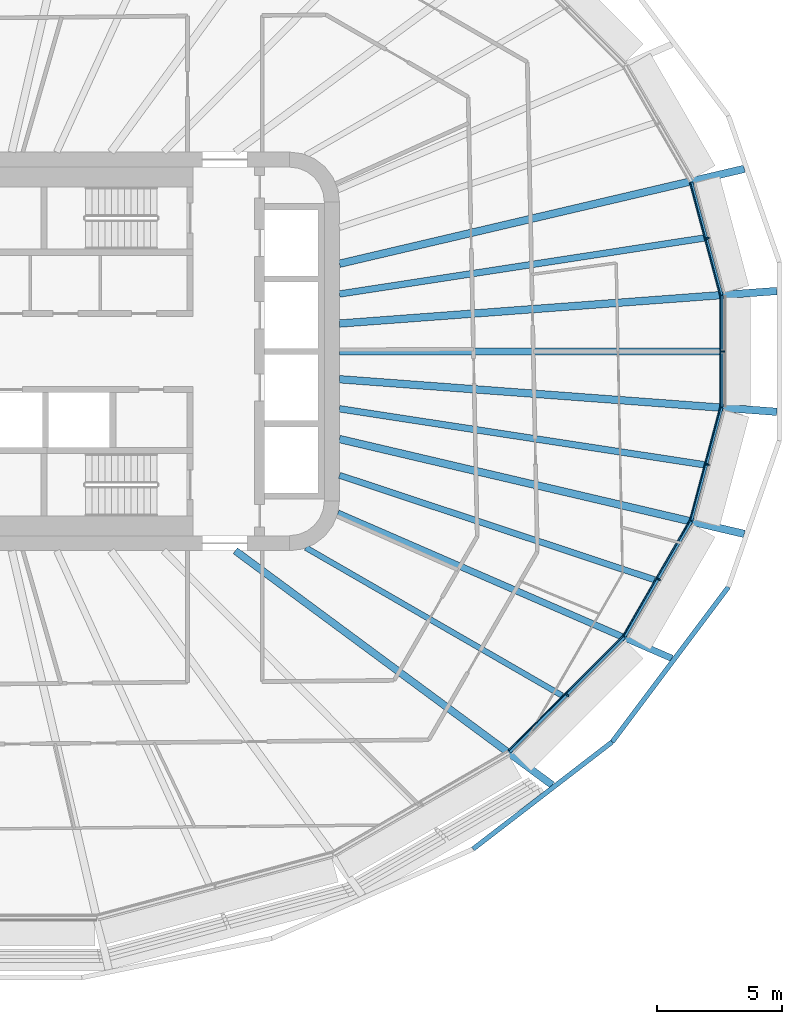
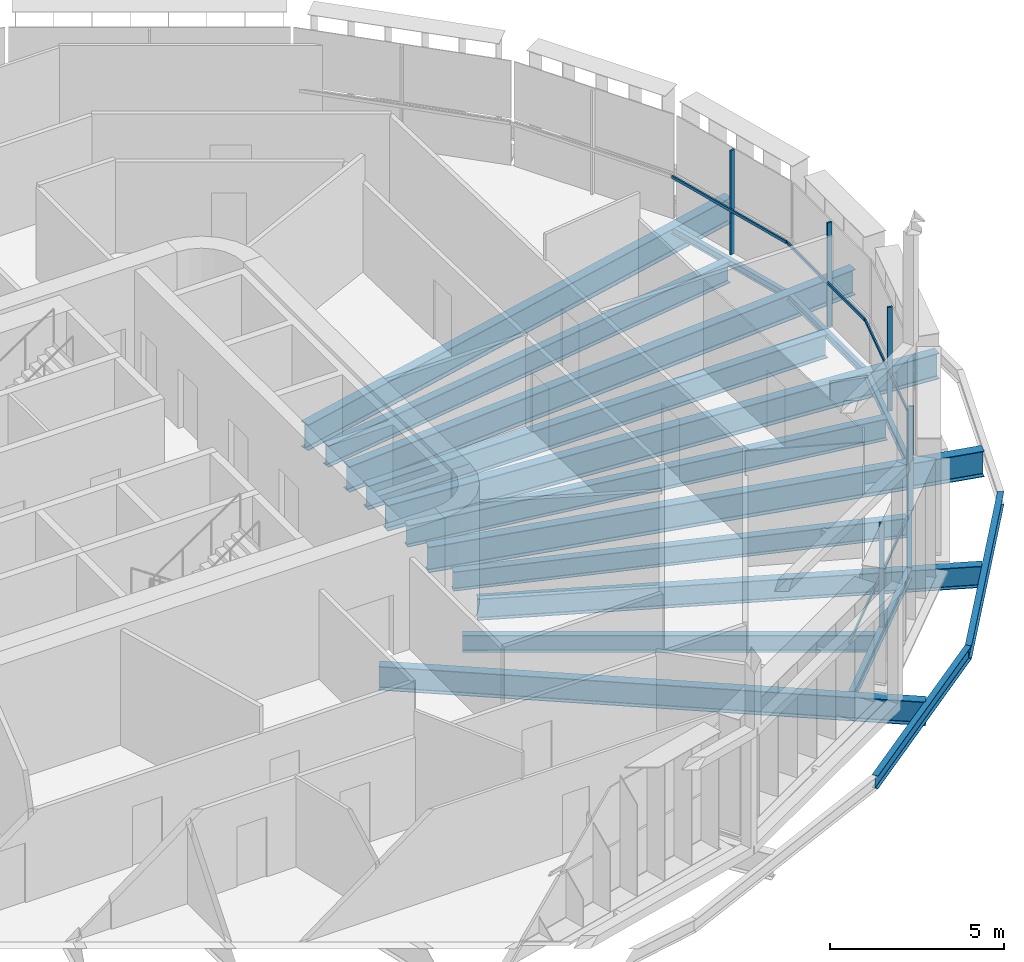
# One storey, part 5 of 23: 18 beams, 10 members, 5 elements without a shape of their own.
"""IFC4 building model written with IfcOpenShell, lengths in metres."""

from ifc_helpers import new_model, si_unit, direction, frame, origin, origin_2d, place, context, subcontext, project, spatial, rectangle, i_section, extrude, material, layer, layer_set, material_profile, profile_set, type_object, element, aggregate, save


model = new_model("IFC4")

# Units and contexts
model_context = context("Model", 3, precision=1e-05, world=origin(), true_north=direction((0.0, 1.0)))
body_context = subcontext(model_context, "Body", "Model", "MODEL_VIEW")
ifc_project = project(units=[si_unit("LENGTHUNIT", "METRE"), si_unit("AREAUNIT", "SQUARE_METRE"), si_unit("VOLUMEUNIT", "CUBIC_METRE"), si_unit("PLANEANGLEUNIT", "RADIAN"), si_unit("MASSUNIT", "GRAM", prefix="KILO")], contexts=[model_context])

# Site, building, storey
site_placement = place(None, origin())
site = spatial("IfcSite", under=ifc_project, at=site_placement, CompositionType="ELEMENT")
building_placement = place(site_placement, origin())
building = spatial("IfcBuilding", under=site, at=building_placement, Name="Sahrelin Media Tower", CompositionType="ELEMENT")
storey_placement = place(building_placement, frame((0.0, 0.0, 54.60009765625)))
storey = spatial("IfcBuildingStorey", under=building, at=storey_placement, Name="L08", CompositionType="ELEMENT", Elevation=54.60009765625)

# Beams
ifc_material_1 = material(Name="Steel S355", Category="steel")
ifc_material_profile_1 = material_profile(ifc_material_1, i_section(OverallWidth=0.14599609375, OverallDepth=0.25146484375, WebThickness=0.006103515625, FlangeThickness=0.008544921875, FilletRadius=0.007568359375, at=origin_2d()), Name="UB 254x146x31")
ifc_profile_set_1 = profile_set([ifc_material_profile_1], Name="Steel S355")
beam_type_1 = type_object("IfcBeamType", Name="Edge beam EB1", PredefinedType="BEAM", material=ifc_profile_set_1)
beam_1_placement = place(storey_placement, frame((30.323974609375, 2.2353515625, -0.27587890625), z_axis=(0.0, -1.0, 0.0), x_axis=(1.0, 0.0, 0.0)))
element("IfcBeam", 1, at=beam_1_placement, inside=storey, type_object=beam_type_1, Name="Edge beam L08-01", PredefinedType="BEAM", context=body_context, shape_type="SweptSolid", body=[
    extrude(i_section(OverallWidth=0.14599609375, OverallDepth=0.25146484375, WebThickness=0.006103515625, FlangeThickness=0.008544921875, FilletRadius=0.007568359375, at=origin_2d()), origin(), (0.0, 0.0, 1.0), 4.470703125),
])
for number, where, z_axis, x_axis, name in (
    (2, (30.3203125, -2.263916015625, -0.27587890625), (-0.258828228202, -0.965923365638, 0.0), (0.965923365638, -0.258828228202, 0.0), "Edge beam L08-02"),
    (3, (29.109130859375, 6.783935546875, -0.27587890625), (0.258828228202, -0.965923365638, 0.0), (0.965923365638, 0.258828228202, 0.0), "Edge beam L08-24"),
):
    element("IfcBeam", number, at=place(storey_placement, frame(where, z_axis=z_axis, x_axis=x_axis)), inside=storey, type_object=beam_type_1, Name=name, PredefinedType="BEAM", context=body_context, shape_type="SweptSolid", body=[
        extrude(i_section(OverallWidth=0.14599609375, OverallDepth=0.25146484375, WebThickness=0.006103515625, FlangeThickness=0.008544921875, FilletRadius=0.007568359375, at=origin_2d()), origin(), (0.0, 0.0, 1.0), 4.679443359375),
    ])
ifc_material_profile_2 = material_profile(ifc_material_1, i_section(OverallWidth=0.1650390625, OverallDepth=0.303466796875, WebThickness=0.006103515625, FlangeThickness=0.01025390625, FilletRadius=0.0087890625, at=origin_2d()), Name="UB 305x165x40")
ifc_profile_set_2 = profile_set([ifc_material_profile_2], Name="Steel S355")
beam_type_2 = type_object("IfcBeamType", Name="Edge beam EB2", PredefinedType="BEAM", material=ifc_profile_set_2)
beam_2_placement = place(storey_placement, frame((29.09814453125, -6.810546875, -0.3017578125), z_axis=(-0.500020745744, -0.866013425892, 0.0), x_axis=(0.866013425892, -0.500020745744, 0.0)))
element("IfcBeam", 4, at=beam_2_placement, inside=storey, type_object=beam_type_2, Name="Edge beam L08-03", PredefinedType="BEAM", context=body_context, shape_type="SweptSolid", body=[
    extrude(i_section(OverallWidth=0.1650390625, OverallDepth=0.303466796875, WebThickness=0.006103515625, FlangeThickness=0.01025390625, FilletRadius=0.0087890625, at=origin_2d()), origin(), (0.0, 0.0, 1.0), 5.337158203125),
])
ifc_material_profile_3 = material_profile(ifc_material_1, i_section(OverallWidth=0.17138671875, OverallDepth=0.35498046875, WebThickness=0.00732421875, FlangeThickness=0.011474609375, FilletRadius=0.01025390625, at=origin_2d()), Name="UB 356x171x51")
ifc_profile_set_3 = profile_set([ifc_material_profile_3], Name="Steel S355")
beam_type_3 = type_object("IfcBeamType", Name="Edge beam EB3", PredefinedType="BEAM", material=ifc_profile_set_3)
beam_3_placement = place(storey_placement, frame((26.412109375, -11.45556640625, -0.32763671875), z_axis=(-0.707106781187, -0.707106781187, 0.0), x_axis=(0.707106781187, -0.707106781187, 0.0)))
element("IfcBeam", 5, at=beam_3_placement, inside=storey, type_object=beam_type_3, Name="Edge beam L08-04", PredefinedType="BEAM", context=body_context, shape_type="SweptSolid", body=[
    extrude(i_section(OverallWidth=0.17138671875, OverallDepth=0.35498046875, WebThickness=0.00732421875, FlangeThickness=0.011474609375, FilletRadius=0.01025390625, at=origin_2d()), origin(), (0.0, 0.0, 1.0), 6.505126953125),
])

# Curtain wall, member
ifc_material_2 = material(Name="Champagne anodised aluminium 6063-T6", Category="aluminium")
ifc_layer = layer(ifc_material_2, 0.14990234375)
ifc_layer_set = layer_set([ifc_layer], Name="Tower ribbon curtain wall")
curtain_wall_type = type_object("IfcCurtainWallType", Name="Tower ribbon curtain wall", PredefinedType="NOTDEFINED", material=ifc_layer_set)
curtain_wall_1_placement = place(storey_placement, frame((30.47412109375, 0.0, 0.0), z_axis=(0.0, 0.0, 1.0), x_axis=(1.0, 0.0, 0.0)))
curtain_wall_1 = element("IfcCurtainWall", 6, at=curtain_wall_1_placement, inside=storey, type_object=curtain_wall_type, Name="L08:CW:L08-00", PredefinedType="NOTDEFINED")
ifc_material_profile_4 = material_profile(ifc_material_2, rectangle(XDim=0.06005859375, YDim=0.14990234375, at=origin_2d()), Name="Mullion 60x150")
ifc_profile_set_4 = profile_set([ifc_material_profile_4], Name="Champagne anodised aluminium 6063-T6")
member_type_1 = type_object("IfcMemberType", Name="Mullion 60x150 CW1", PredefinedType="MULLION", material=ifc_profile_set_4)
member_1_placement = place(storey_placement, frame((30.37890625, 0.0, 0.0), z_axis=(0.0, 0.0, 1.0), x_axis=(0.0, 1.0, 0.0)))
member_1 = element("IfcMember", 7, at=member_1_placement, type_object=member_type_1, Name="L08:CWM:L08-00", PredefinedType="MULLION", context=body_context, shape_type="SweptSolid", body=[
    extrude(rectangle(XDim=0.06005859375, YDim=0.14990234375, at=origin_2d()), origin(), (0.0, 0.0, 1.0), 3.6484375),
])

curtain_wall_2_placement = place(storey_placement, frame((29.859619140625, 4.562744140625, 0.0), z_axis=(0.0, 0.0, 1.0), x_axis=(1.0, 0.0, 0.0)))
curtain_wall_2 = element("IfcCurtainWall", 8, at=curtain_wall_2_placement, inside=storey, type_object=curtain_wall_type, Name="L08:CW:L08-01", PredefinedType="NOTDEFINED")
member_2_placement = place(storey_placement, frame((29.767822265625, 4.5380859375, 0.0), z_axis=(0.0, 0.0, 1.0), x_axis=(-0.258825788531, 0.965924019368, 0.0)))
member_2 = element("IfcMember", 9, at=member_2_placement, type_object=member_type_1, Name="L08:CWM:L08-01", PredefinedType="MULLION", context=body_context, shape_type="SweptSolid", body=[
    extrude(rectangle(XDim=0.06005859375, YDim=0.14990234375, at=origin_2d()), origin(), (0.0, 0.0, 1.0), 3.6484375),
])

curtain_wall_3_placement = place(storey_placement, frame((24.21826171875, -13.861572265625, 0.0), z_axis=(0.0, 0.0, 1.0), x_axis=(1.0, 0.0, 0.0)))
curtain_wall_3 = element("IfcCurtainWall", 10, at=curtain_wall_3_placement, inside=storey, type_object=curtain_wall_type, Name="L08:CW:L08-21", PredefinedType="NOTDEFINED")
member_3_placement = place(storey_placement, frame((24.15087890625, -13.794189453125, 0.0), z_axis=(0.0, 0.0, 1.0), x_axis=(0.707106781187, 0.707106781187, 0.0)))
member_3 = element("IfcMember", 11, at=member_3_placement, type_object=member_type_1, Name="L08:CWM:L08-21", PredefinedType="MULLION", context=body_context, shape_type="SweptSolid", body=[
    extrude(rectangle(XDim=0.06005859375, YDim=0.14990234375, at=origin_2d()), origin(), (0.0, 0.0, 1.0), 3.6484375),
])

curtain_wall_4_placement = place(storey_placement, frame((27.893798828125, -9.196533203125, 0.0), z_axis=(0.0, 0.0, 1.0), x_axis=(1.0, 0.0, 0.0)))
curtain_wall_4 = element("IfcCurtainWall", 12, at=curtain_wall_4_placement, inside=storey, type_object=curtain_wall_type, Name="L08:CW:L08-22", PredefinedType="NOTDEFINED")
member_4_placement = place(storey_placement, frame((27.811279296875, -9.149169921875, 0.0), z_axis=(0.0, 0.0, 1.0), x_axis=(0.499990930976, 0.866030639725, 0.0)))
member_4 = element("IfcMember", 13, at=member_4_placement, type_object=member_type_1, Name="L08:CWM:L08-22", PredefinedType="MULLION", context=body_context, shape_type="SweptSolid", body=[
    extrude(rectangle(XDim=0.06005859375, YDim=0.14990234375, at=origin_2d()), origin(), (0.0, 0.0, 1.0), 3.6484375),
])

curtain_wall_5_placement = place(storey_placement, frame((29.859619140625, -4.562744140625, 0.0), z_axis=(0.0, 0.0, 1.0), x_axis=(1.0, 0.0, 0.0)))
curtain_wall_5 = element("IfcCurtainWall", 14, at=curtain_wall_5_placement, inside=storey, type_object=curtain_wall_type, Name="L08:CW:L08-23", PredefinedType="NOTDEFINED")
member_5_placement = place(storey_placement, frame((29.767822265625, -4.5380859375, 0.0), z_axis=(0.0, 0.0, 1.0), x_axis=(0.258825788531, 0.965924019368, 0.0)))
member_5 = element("IfcMember", 15, at=member_5_placement, type_object=member_type_1, Name="L08:CWM:L08-23", PredefinedType="MULLION", context=body_context, shape_type="SweptSolid", body=[
    extrude(rectangle(XDim=0.06005859375, YDim=0.14990234375, at=origin_2d()), origin(), (0.0, 0.0, 1.0), 3.6484375),
])

# Beams
ifc_material_profile_5 = material_profile(ifc_material_1, i_section(OverallWidth=0.291748046875, OverallDepth=0.8349609375, WebThickness=0.013916015625, FlangeThickness=0.018798828125, FilletRadius=0.017822265625, at=origin_2d()), Name="UB 838x292x176")
ifc_profile_set_5 = profile_set([ifc_material_profile_5], Name="Steel S355")
beam_type_4 = type_object("IfcBeamType", Name="Radial primary beam PB10", PredefinedType="BEAM", material=ifc_profile_set_5)
beam_4_placement = place(storey_placement, frame((10.821533203125, -8.0, -0.5673828125), z_axis=(0.804124174179, -0.594461363337, 0.0), x_axis=(0.594461363337, 0.804124174179, 0.0)))
element("IfcBeam", 16, at=beam_4_placement, inside=storey, type_object=beam_type_4, Name="Radial beam L08-21", PredefinedType="BEAM", context=body_context, shape_type="SweptSolid", body=[
    extrude(i_section(OverallWidth=0.291748046875, OverallDepth=0.8349609375, WebThickness=0.013916015625, FlangeThickness=0.018798828125, FilletRadius=0.017822265625, at=origin_2d()), origin(), (0.0, 0.0, 1.0), 15.81787109375),
])
ifc_material_profile_6 = material_profile(ifc_material_1, i_section(OverallWidth=0.30322265625, OverallDepth=0.903076171875, WebThickness=0.01513671875, FlangeThickness=0.020263671875, FilletRadius=0.01904296875, at=origin_2d()), Name="UB 914x305x201")
ifc_profile_set_6 = profile_set([ifc_material_profile_6], Name="Steel S355")
beam_type_5 = type_object("IfcBeamType", Name="Radial primary beam PB11", PredefinedType="BEAM", material=ifc_profile_set_6)
beam_5_placement = place(storey_placement, frame((15.0, 1.1171875, -0.6015625), z_axis=(0.997238272373, 0.074268621336, 0.0), x_axis=(-0.074268621336, 0.997238272373, 0.0)))
element("IfcBeam", 17, at=beam_5_placement, inside=storey, type_object=beam_type_5, Name="Radial beam L08-01", PredefinedType="BEAM", context=body_context, shape_type="SweptSolid", body=[
    extrude(i_section(OverallWidth=0.30322265625, OverallDepth=0.903076171875, WebThickness=0.01513671875, FlangeThickness=0.020263671875, FilletRadius=0.01904296875, at=origin_2d()), origin(), (0.0, 0.0, 1.0), 17.603271484375),
])
for number, where, z_axis, x_axis, name in (
    (18, (15.0, 3.516357421875, -0.6015625), (0.973604476723, 0.22824180797, 0.0), (-0.22824180797, 0.973604476723, 0.0), "Radial beam L08-02"),
    (19, (15.0, -3.516357421875, -0.6015625), (0.973604476723, -0.22824180797, 0.0), (0.22824180797, 0.973604476723, 0.0), "Radial beam L08-23"),
):
    element("IfcBeam", number, at=place(storey_placement, frame(where, z_axis=z_axis, x_axis=x_axis)), inside=storey, type_object=beam_type_5, Name=name, PredefinedType="BEAM", context=body_context, shape_type="SweptSolid", body=[
        extrude(i_section(OverallWidth=0.30322265625, OverallDepth=0.903076171875, WebThickness=0.01513671875, FlangeThickness=0.020263671875, FilletRadius=0.01904296875, at=origin_2d()), origin(), (0.0, 0.0, 1.0), 16.688720703125),
    ])
beam_6_placement = place(storey_placement, frame((15.0, -1.1171875, -0.6015625), z_axis=(0.997238272373, -0.074268621336, 0.0), x_axis=(0.074268621336, 0.997238272373, 0.0)))
element("IfcBeam", 20, at=beam_6_placement, inside=storey, type_object=beam_type_5, Name="Radial beam L08-24", PredefinedType="BEAM", context=body_context, shape_type="SweptSolid", body=[
    extrude(i_section(OverallWidth=0.30322265625, OverallDepth=0.903076171875, WebThickness=0.01513671875, FlangeThickness=0.020263671875, FilletRadius=0.01904296875, at=origin_2d()), origin(), (0.0, 0.0, 1.0), 17.603271484375),
])
ifc_material_profile_7 = material_profile(ifc_material_1, i_section(OverallWidth=0.26513671875, OverallDepth=0.75390625, WebThickness=0.0126953125, FlangeThickness=0.017578125, FilletRadius=0.0166015625, at=origin_2d()), Name="UB 762x267x147")
ifc_profile_set_7 = profile_set([ifc_material_profile_7], Name="Steel S355")
beam_type_6 = type_object("IfcBeamType", Name="Radial primary beam PB9", PredefinedType="BEAM", material=ifc_profile_set_7)
beam_7_placement = place(storey_placement, frame((14.935302734375, -6.491943359375, -0.527099609375), z_axis=(0.917108819055, -0.398636945115, 0.0), x_axis=(0.398636945115, 0.917108819055, 0.0)))
element("IfcBeam", 21, at=beam_7_placement, inside=storey, type_object=beam_type_6, Name="Radial beam L08-22", PredefinedType="BEAM", context=body_context, shape_type="SweptSolid", body=[
    extrude(i_section(OverallWidth=0.26513671875, OverallDepth=0.75390625, WebThickness=0.0126953125, FlangeThickness=0.017578125, FilletRadius=0.0166015625, at=origin_2d()), origin(), (0.0, 0.0, 1.0), 14.61767578125),
])
ifc_material_profile_8 = material_profile(ifc_material_1, i_section(OverallWidth=0.291748046875, OverallDepth=0.8349609375, WebThickness=0.013916015625, FlangeThickness=0.018798828125, FilletRadius=0.017822265625, at=origin_2d()), Name="UB 838x292x176")
ifc_profile_set_8 = profile_set([ifc_material_profile_8], Name="Steel S355")
beam_type_7 = type_object("IfcBeamType", Name="Radial secondary beam SB10", PredefinedType="BEAM", material=ifc_profile_set_8)
beam_8_placement = place(storey_placement, frame((15.0, 0.0, -0.5673828125), z_axis=(1.0, 0.0, 0.0), x_axis=(0.0, 1.0, 0.0)))
element("IfcBeam", 22, at=beam_8_placement, inside=storey, type_object=beam_type_7, Name="Secondary beam L08-24", PredefinedType="BEAM", context=body_context, shape_type="SweptSolid", body=[
    extrude(i_section(OverallWidth=0.291748046875, OverallDepth=0.8349609375, WebThickness=0.013916015625, FlangeThickness=0.018798828125, FilletRadius=0.017822265625, at=origin_2d()), origin(), (0.0, 0.0, 1.0), 15.2509765625),
])
ifc_material_profile_9 = material_profile(ifc_material_1, i_section(OverallWidth=0.2275390625, OverallDepth=0.6025390625, WebThickness=0.010498046875, FlangeThickness=0.014892578125, FilletRadius=0.0126953125, at=origin_2d()), Name="UB 610x229x101")
ifc_profile_set_9 = profile_set([ifc_material_profile_9], Name="Steel S355")
beam_type_8 = type_object("IfcBeamType", Name="Radial secondary beam SB7", PredefinedType="BEAM", material=ifc_profile_set_9)
beam_9_placement = place(storey_placement, frame((13.6513671875, -7.87646484375, -0.451416015625), z_axis=(0.866166758016, -0.499755087325, 0.0), x_axis=(0.499755087325, 0.866166758016, 0.0)))
element("IfcBeam", 23, at=beam_9_placement, inside=storey, type_object=beam_type_8, Name="Secondary beam L08-21", PredefinedType="BEAM", context=body_context, shape_type="SweptSolid", body=[
    extrude(i_section(OverallWidth=0.2275390625, OverallDepth=0.6025390625, WebThickness=0.010498046875, FlangeThickness=0.014892578125, FilletRadius=0.0126953125, at=origin_2d()), origin(), (0.0, 0.0, 1.0), 11.87353515625),
])
ifc_material_profile_10 = material_profile(ifc_material_1, i_section(OverallWidth=0.2529296875, OverallDepth=0.677978515625, WebThickness=0.01171875, FlangeThickness=0.01611328125, FilletRadius=0.01513671875, at=origin_2d()), Name="UB 686x254x125")
ifc_profile_set_10 = profile_set([ifc_material_profile_10], Name="Steel S355")
beam_type_9 = type_object("IfcBeamType", Name="Radial secondary beam SB8", PredefinedType="BEAM", material=ifc_profile_set_10)
beam_10_placement = place(storey_placement, frame((15.0, -4.973388671875, -0.489013671875), z_axis=(0.949189781098, -0.314704241247, 0.0), x_axis=(0.314704241247, 0.949189781098, 0.0)))
element("IfcBeam", 24, at=beam_10_placement, inside=storey, type_object=beam_type_9, Name="Secondary beam L08-22", PredefinedType="BEAM", context=body_context, shape_type="SweptSolid", body=[
    extrude(i_section(OverallWidth=0.2529296875, OverallDepth=0.677978515625, WebThickness=0.01171875, FlangeThickness=0.01611328125, FilletRadius=0.01513671875, at=origin_2d()), origin(), (0.0, 0.0, 1.0), 13.320068359375),
])
ifc_material_profile_11 = material_profile(ifc_material_1, i_section(OverallWidth=0.26513671875, OverallDepth=0.75390625, WebThickness=0.0126953125, FlangeThickness=0.017578125, FilletRadius=0.0166015625, at=origin_2d()), Name="UB 762x267x147")
ifc_profile_set_11 = profile_set([ifc_material_profile_11], Name="Steel S355")
beam_type_10 = type_object("IfcBeamType", Name="Radial secondary beam SB9", PredefinedType="BEAM", material=ifc_profile_set_11)
for number, where, z_axis, x_axis, name in (
    (25, (15.0, 2.302490234375, -0.527099609375), (0.98842559069, 0.151706465484, 0.0), (-0.151706465484, 0.98842559069, 0.0), "Secondary beam L08-01"),
    (26, (15.0, -2.302490234375, -0.527099609375), (0.98842559069, -0.151706465484, 0.0), (0.151706465484, 0.98842559069, 0.0), "Secondary beam L08-23"),
):
    element("IfcBeam", number, at=place(storey_placement, frame(where, z_axis=z_axis, x_axis=x_axis)), inside=storey, type_object=beam_type_10, Name=name, PredefinedType="BEAM", context=body_context, shape_type="SweptSolid", body=[
        extrude(i_section(OverallWidth=0.26513671875, OverallDepth=0.75390625, WebThickness=0.0126953125, FlangeThickness=0.017578125, FilletRadius=0.0166015625, at=origin_2d()), origin(), (0.0, 0.0, 1.0), 14.803955078125),
    ])
ifc_material_profile_12 = material_profile(ifc_material_1, i_section(OverallWidth=0.1904296875, OverallDepth=0.45703125, WebThickness=0.009033203125, FlangeThickness=0.014404296875, FilletRadius=0.01025390625, at=origin_2d()), Name="UB 457x191x74")
ifc_profile_set_12 = profile_set([ifc_material_profile_12], Name="Steel S355")
beam_type_11 = type_object("IfcBeamType", Name="Tie chord TC5", PredefinedType="BEAM", material=ifc_profile_set_12)
beam_11_placement = place(storey_placement, frame((20.36328125, -19.968994140625, -0.378662109375), z_axis=(0.792453844902, 0.609931884475, 0.0), x_axis=(-0.609931884475, 0.792453844902, 0.0)))
element("IfcBeam", 27, at=beam_11_placement, inside=storey, type_object=beam_type_11, Name="Tie chord L08-21", PredefinedType="BEAM", context=body_context, shape_type="SweptSolid", body=[
    extrude(i_section(OverallWidth=0.1904296875, OverallDepth=0.45703125, WebThickness=0.009033203125, FlangeThickness=0.014404296875, FilletRadius=0.01025390625, at=origin_2d()), origin(), (0.0, 0.0, 1.0), 7.04248046875),
])
beam_12_placement = place(storey_placement, frame((25.944091796875, -15.673583984375, -0.378662109375), z_axis=(0.600040211361, 0.7999698399, 0.0), x_axis=(-0.7999698399, 0.600040211361, 0.0)))
element("IfcBeam", 28, at=beam_12_placement, inside=storey, type_object=beam_type_11, Name="Tie chord L08-22", PredefinedType="BEAM", context=body_context, shape_type="SweptSolid", body=[
    extrude(i_section(OverallWidth=0.1904296875, OverallDepth=0.45703125, WebThickness=0.009033203125, FlangeThickness=0.014404296875, FilletRadius=0.01025390625, at=origin_2d()), origin(), (0.0, 0.0, 1.0), 7.771240234375),
])

# Member
ifc_material_profile_13 = material_profile(ifc_material_2, rectangle(XDim=0.050048828125, YDim=0.10009765625, at=origin_2d()), Name="Transom 50x100")
ifc_profile_set_13 = profile_set([ifc_material_profile_13], Name="Champagne anodised aluminium 6063-T6")
member_type_2 = type_object("IfcMemberType", Name="Transom 50x100 CW1", PredefinedType="USERDEFINED", material=ifc_profile_set_13)
member_6_placement = place(storey_placement, frame((30.279052734375, -2.219482421875, 1.599853515625), z_axis=(0.0, 1.0, 0.0), x_axis=(-1.0, 0.0, 0.0)))
member_6 = element("IfcMember", 29, at=member_6_placement, type_object=member_type_2, Name="L08:CWT:L08-00", ObjectType="TRANSOM", PredefinedType="USERDEFINED", context=body_context, shape_type="SweptSolid", body=[
    extrude(rectangle(XDim=0.050048828125, YDim=0.10009765625, at=origin_2d()), origin(), (0.0, 0.0, 1.0), 4.43896484375),
])

aggregate(curtain_wall_1, [member_1, member_6])

member_7_placement = place(storey_placement, frame((30.272705078125, 2.267333984375, 1.599853515625), z_axis=(-0.258839350642, 0.965920385207, 0.0), x_axis=(-0.965920385207, -0.258839350642, 0.0)))
member_7 = element("IfcMember", 30, at=member_7_placement, type_object=member_type_2, Name="L08:CWT:L08-01", ObjectType="TRANSOM", PredefinedType="USERDEFINED", context=body_context, shape_type="SweptSolid", body=[
    extrude(rectangle(XDim=0.050048828125, YDim=0.10009765625, at=origin_2d()), origin(), (0.0, 0.0, 1.0), 4.648193359375),
])

aggregate(curtain_wall_2, [member_2, member_7])

member_8_placement = place(storey_placement, frame((21.79150390625, -16.012451171875, 1.599853515625), z_axis=(0.707106781187, 0.707106781187, 0.0), x_axis=(-0.707106781187, 0.707106781187, 0.0)))
member_8 = element("IfcMember", 31, at=member_8_placement, type_object=member_type_2, Name="L08:CWT:L08-21", ObjectType="TRANSOM", PredefinedType="USERDEFINED", context=body_context, shape_type="SweptSolid", body=[
    extrude(rectangle(XDim=0.050048828125, YDim=0.10009765625, at=origin_2d()), origin(), (0.0, 0.0, 1.0), 6.473876953125),
])

aggregate(curtain_wall_3, [member_3, member_8])

member_9_placement = place(storey_placement, frame((26.3984375, -11.396484375, 1.599853515625), z_axis=(0.499989321821, 0.866031568746, 0.0), x_axis=(-0.866031568746, 0.499989321821, 0.0)))
member_9 = element("IfcMember", 32, at=member_9_placement, type_object=member_type_2, Name="L08:CWT:L08-22", ObjectType="TRANSOM", PredefinedType="USERDEFINED", context=body_context, shape_type="SweptSolid", body=[
    extrude(rectangle(XDim=0.050048828125, YDim=0.10009765625, at=origin_2d()), origin(), (0.0, 0.0, 1.0), 5.3056640625),
])

aggregate(curtain_wall_4, [member_4, member_9])

member_10_placement = place(storey_placement, frame((29.069580078125, -6.757080078125, 1.599853515625), z_axis=(0.258839350642, 0.965920385207, 0.0), x_axis=(-0.965920385207, 0.258839350642, 0.0)))
member_10 = element("IfcMember", 33, at=member_10_placement, type_object=member_type_2, Name="L08:CWT:L08-23", ObjectType="TRANSOM", PredefinedType="USERDEFINED", context=body_context, shape_type="SweptSolid", body=[
    extrude(rectangle(XDim=0.050048828125, YDim=0.10009765625, at=origin_2d()), origin(), (0.0, 0.0, 1.0), 4.648193359375),
])

aggregate(curtain_wall_5, [member_5, member_10])

save(model, "model.ifc")
